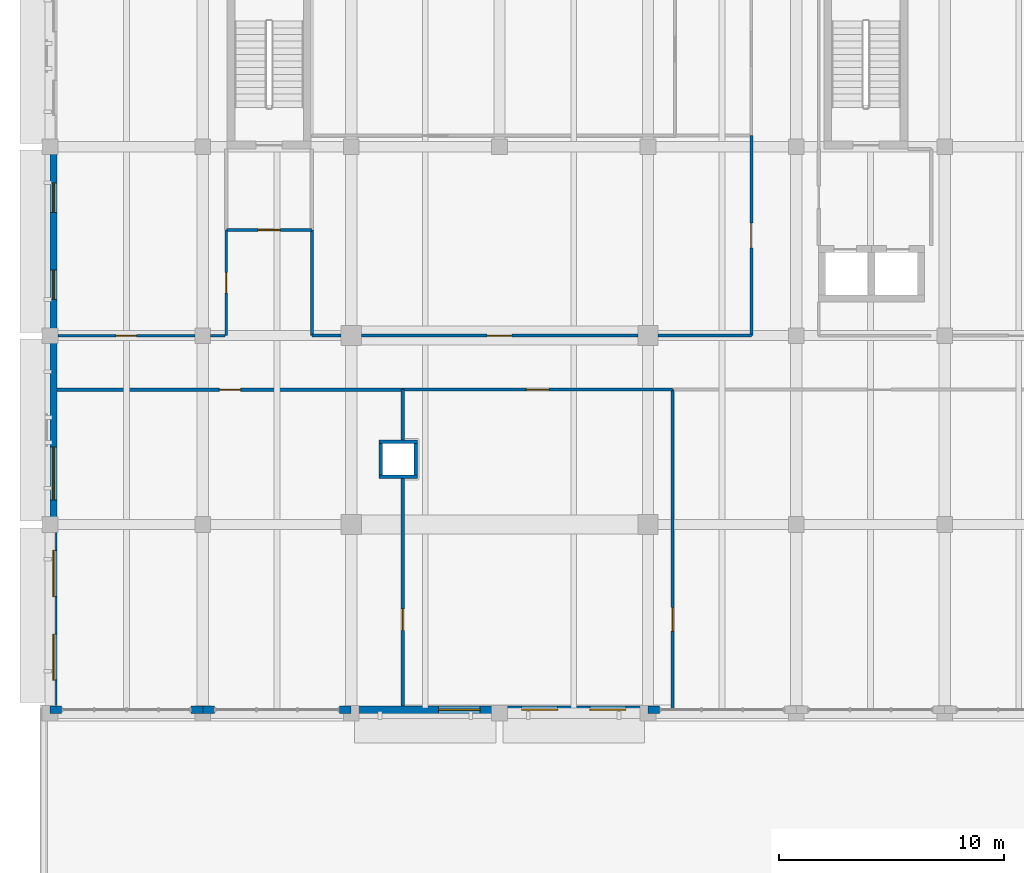
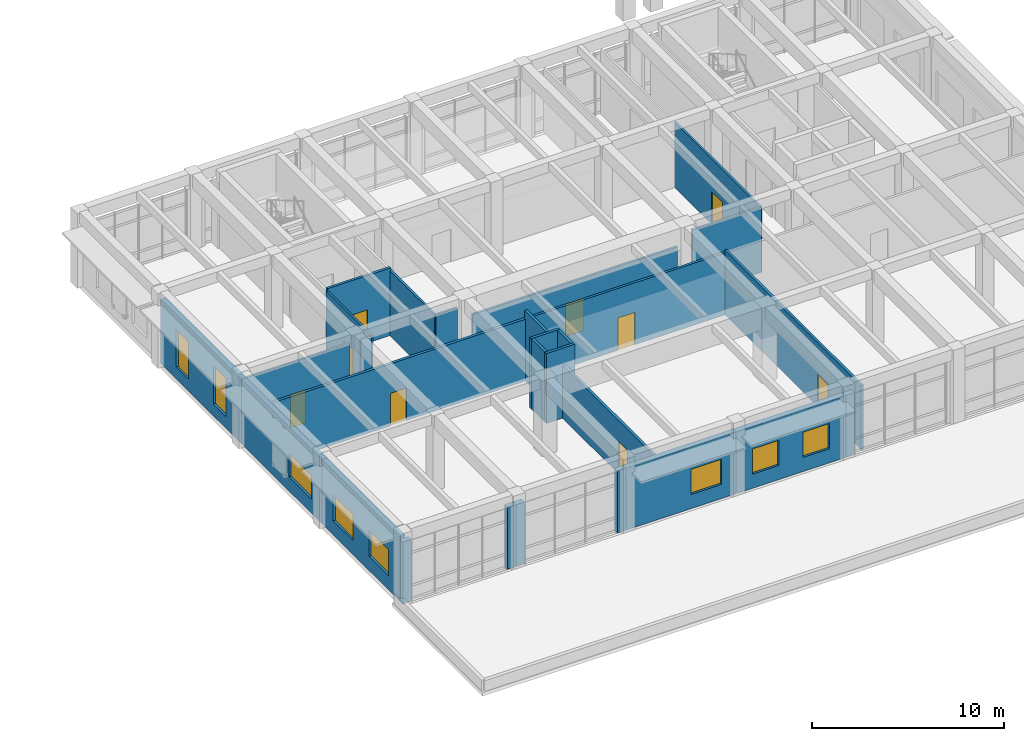
# One storey, part 42 of 75: 28 walls, 9 doors, 8 windows, 17 openings.
"""IFC4 building model written with IfcOpenShell, lengths in metres."""

from ifc_helpers import new_model, si_unit, direction, frame, frame_2d, origin, place, context, subcontext, project, spatial, rectangle, extrude, material, layer, layer_set, type_object, element, fill, save


model = new_model("IFC4")

# Units and contexts
model_context = context("Model", 3, precision=1e-05, world=origin(), true_north=direction((0.0, 1.0)))
body_context = subcontext(model_context, "Body", "Model", "MODEL_VIEW")
ifc_project = project(units=[si_unit("LENGTHUNIT", "METRE"), si_unit("AREAUNIT", "SQUARE_METRE"), si_unit("VOLUMEUNIT", "CUBIC_METRE"), si_unit("PLANEANGLEUNIT", "RADIAN"), si_unit("MASSUNIT", "GRAM", prefix="KILO")], contexts=[model_context])

# Site, building, storey
site_placement = place(None, origin())
site = spatial("IfcSite", under=ifc_project, at=site_placement, CompositionType="ELEMENT")
building_placement = place(site_placement, origin())
building = spatial("IfcBuilding", under=site, at=building_placement, Name="Kolvaren Faculty of Natural Sciences", CompositionType="ELEMENT")
storey_placement = place(building_placement, frame((0.0, 0.0, 5.39990234375)))
storey = spatial("IfcBuildingStorey", under=building, at=storey_placement, Name="L01", CompositionType="ELEMENT", Elevation=5.39990234375)

# Wall, opening, door
ifc_material_1 = material(Name="Acoustic mineral-wool insulated gypsum partition")
ifc_layer_1 = layer(ifc_material_1, 0.159912109375)
ifc_layer_set_1 = layer_set([ifc_layer_1], Name="Acoustic mineral-wool insulated gypsum partition")
wall_type_1 = type_object("IfcWallType", Name="ClassroomPartitionWall_160", PredefinedType="PARTITIONING", material=ifc_layer_set_1)
wall_1_placement = place(storey_placement, frame((15.699951171875, 19.0400390625, 0.0), z_axis=(0.0, 0.0, 1.0), x_axis=(0.0, -1.0, 0.0)))
wall_1 = element("IfcWall", 1, at=wall_1_placement, inside=storey, type_object=wall_type_1, Name="L01 interior partition PW-160", PredefinedType="PARTITIONING", context=body_context, shape_type="SweptSolid", body=[
    extrude(rectangle(XDim=10.117919921875, YDim=0.159912109375, at=frame_2d((5.05908203125, 0.0))), origin(), (0.0, 0.0, 1.0), 3.385009765625),
])
opening_1_placement = place(wall_1_placement, frame((5.798095703125, 0.0, 0.0)))
opening_1 = element("IfcOpeningElement", 2, at=opening_1_placement, cuts=wall_1, Name="Opening ID-07", PredefinedType="OPENING", context=body_context, shape_type="SweptSolid", body=[
    extrude(rectangle(XDim=0.949951171875, YDim=2.06005859375, at=frame_2d((0.47509765625, 1.030029296875))), frame((0.0, 0.08984375, 0.0), z_axis=(0.0, -1.0, 0.0), x_axis=(1.0, 0.0, 0.0)), (0.0, 0.0, 1.0), 0.179931640625),
])
ifc_material_2 = material(Name="Solid-core hardwood veneer door leaf in steel frame", Category="steel")
door_type_1 = type_object("IfcDoorType", Name="InteriorRoomDoor_950x2060", OperationType="NOTDEFINED", PredefinedType="DOOR", material=ifc_material_2)
door_1_placement = place(opening_1_placement, origin())
door_1 = element("IfcDoor", 3, at=door_1_placement, inside=storey, type_object=door_type_1, Name="D-L01-0134", OperationType="SINGLE_SWING_RIGHT", OverallHeight=2.06005859375, OverallWidth=0.949951171875, PredefinedType="DOOR", context=body_context, shape_type="SweptSolid", body=[
    extrude(rectangle(XDim=0.949951171875, YDim=2.06005859375, at=frame_2d((0.47509765625, 1.030029296875))), frame((0.0, 0.02490234375, 0.0), z_axis=(0.0, -1.0, 0.0), x_axis=(1.0, 0.0, 0.0)), (0.0, 0.0, 1.0), 0.050048828125),
])
fill(opening_1, door_1)

wall_2_placement = place(storey_placement, frame((0.322021484375, 23.0, 0.0), z_axis=(0.0, 0.0, 1.0), x_axis=(1.0, 0.0, 0.0)))
wall_2 = element("IfcWall", 4, at=wall_2_placement, inside=storey, type_object=wall_type_1, Name="L01 interior partition PW-160", PredefinedType="PARTITIONING", context=body_context, shape_type="SweptSolid", body=[
    extrude(rectangle(XDim=15.3779296875, YDim=0.159912109375, at=frame_2d((7.68896484375, 0.0))), origin(), (0.0, 0.0, 1.0), 3.93505859375),
])
opening_2_placement = place(wall_2_placement, frame((7.214111328125, 0.0, 0.0)))
opening_2 = element("IfcOpeningElement", 5, at=opening_2_placement, cuts=wall_2, Name="Opening ID-07", PredefinedType="OPENING", context=body_context, shape_type="SweptSolid", body=[
    extrude(rectangle(XDim=0.949951171875, YDim=2.06005859375, at=frame_2d((0.47509765625, 1.030029296875))), frame((0.0, 0.08984375, 0.0), z_axis=(0.0, -1.0, 0.0), x_axis=(1.0, 0.0, 0.0)), (0.0, 0.0, 1.0), 0.179931640625),
])
door_2_placement = place(opening_2_placement, origin())
door_2 = element("IfcDoor", 6, at=door_2_placement, inside=storey, type_object=door_type_1, Name="D-L01-0133", OperationType="SINGLE_SWING_LEFT", OverallHeight=2.06005859375, OverallWidth=0.949951171875, PredefinedType="DOOR", context=body_context, shape_type="SweptSolid", body=[
    extrude(rectangle(XDim=0.949951171875, YDim=2.06005859375, at=frame_2d((0.47509765625, 1.030029296875))), frame((0.0, 0.02490234375, 0.0), z_axis=(0.0, -1.0, 0.0), x_axis=(1.0, 0.0, 0.0)), (0.0, 0.0, 1.0), 0.050048828125),
])
fill(opening_2, door_2)

# Wall
wall_3_placement = place(storey_placement, frame((15.699951171875, 23.0, 0.0), z_axis=(0.0, 0.0, 1.0), x_axis=(0.0, -1.0, 0.0)))
element("IfcWall", 7, at=wall_3_placement, inside=storey, type_object=wall_type_1, Name="L01 interior partition PW-160", PredefinedType="PARTITIONING", context=body_context, shape_type="SweptSolid", body=[
    extrude(rectangle(XDim=2.239990234375, YDim=0.159912109375, at=frame_2d((1.1201171875, 0.0))), origin(), (0.0, 0.0, 1.0), 4.445068359375),
])

# Wall, opening, door
ifc_layer_2 = layer(ifc_material_1, 0.14501953125)
ifc_layer_set_2 = layer_set([ifc_layer_2], Name="Acoustic mineral-wool insulated gypsum partition")
wall_type_2 = type_object("IfcWallType", Name="CommonsPartitionWall_145", PredefinedType="PARTITIONING", material=ifc_layer_set_2)
wall_4_placement = place(storey_placement, frame((27.699951171875, 23.0, 0.0), z_axis=(0.0, 0.0, 1.0), x_axis=(0.0, -1.0, 0.0)))
wall_4 = element("IfcWall", 8, at=wall_4_placement, inside=storey, type_object=wall_type_2, Name="L01 interior partition PW-145", PredefinedType="PARTITIONING", context=body_context, shape_type="SweptSolid", body=[
    extrude(rectangle(XDim=14.199951171875, YDim=0.14501953125, at=frame_2d((7.10009765625, 0.0))), origin(), (0.0, 0.0, 1.0), 4.085205078125),
])
opening_3_placement = place(wall_4_placement, frame((9.698974609375, 0.0, 0.0)))
opening_3 = element("IfcOpeningElement", 9, at=opening_3_placement, cuts=wall_4, Name="Opening ID-09", PredefinedType="OPENING", context=body_context, shape_type="SweptSolid", body=[
    extrude(rectangle(XDim=1.050048828125, YDim=2.06005859375, at=frame_2d((0.52490234375, 1.030029296875))), frame((0.0, 0.08251953125, 0.0), z_axis=(0.0, -1.0, 0.0), x_axis=(1.0, 0.0, 0.0)), (0.0, 0.0, 1.0), 0.1650390625),
])
door_type_2 = type_object("IfcDoorType", Name="InteriorRoomDoor_1050x2060", OperationType="NOTDEFINED", PredefinedType="DOOR", material=ifc_material_2)
door_3_placement = place(opening_3_placement, origin())
door_3 = element("IfcDoor", 10, at=door_3_placement, inside=storey, type_object=door_type_2, Name="D-L01-0137", OperationType="SINGLE_SWING_LEFT", OverallHeight=2.06005859375, OverallWidth=1.050048828125, PredefinedType="DOOR", context=body_context, shape_type="SweptSolid", body=[
    extrude(rectangle(XDim=1.050048828125, YDim=2.06005859375, at=frame_2d((0.52490234375, 1.030029296875))), frame((0.0, 0.02490234375, 0.0), z_axis=(0.0, -1.0, 0.0), x_axis=(1.0, 0.0, 0.0)), (0.0, 0.0, 1.0), 0.050048828125),
])
fill(opening_3, door_3)

wall_5_placement = place(storey_placement, frame((15.699951171875, 23.0, 0.0), z_axis=(0.0, 0.0, 1.0), x_axis=(1.0, 0.0, 0.0)))
wall_5 = element("IfcWall", 11, at=wall_5_placement, inside=storey, type_object=wall_type_2, Name="L01 interior partition PW-145", PredefinedType="PARTITIONING", context=body_context, shape_type="SweptSolid", body=[
    extrude(rectangle(XDim=12.0, YDim=0.14501953125, at=frame_2d((6.0, 0.0))), origin(), (0.0, 0.0, 1.0), 3.93505859375),
])
opening_4_placement = place(wall_5_placement, frame((5.5, 0.0, 0.0)))
opening_4 = element("IfcOpeningElement", 12, at=opening_4_placement, cuts=wall_5, Name="Opening ID-08", PredefinedType="OPENING", context=body_context, shape_type="SweptSolid", body=[
    extrude(rectangle(XDim=1.0, YDim=2.06005859375, at=frame_2d((0.5, 1.030029296875))), frame((0.0, 0.08251953125, 0.0), z_axis=(0.0, -1.0, 0.0), x_axis=(1.0, 0.0, 0.0)), (0.0, 0.0, 1.0), 0.1650390625),
])
door_type_3 = type_object("IfcDoorType", Name="InteriorRoomDoor_1000x2060", OperationType="NOTDEFINED", PredefinedType="DOOR", material=ifc_material_2)
door_4_placement = place(opening_4_placement, origin())
door_4 = element("IfcDoor", 13, at=door_4_placement, inside=storey, type_object=door_type_3, Name="D-L01-0135", OperationType="SINGLE_SWING_LEFT", OverallHeight=2.06005859375, OverallWidth=1.0, PredefinedType="DOOR", context=body_context, shape_type="SweptSolid", body=[
    extrude(rectangle(XDim=1.0, YDim=2.06005859375, at=frame_2d((0.5, 1.030029296875))), frame((0.0, 0.02490234375, 0.0), z_axis=(0.0, -1.0, 0.0), x_axis=(1.0, 0.0, 0.0)), (0.0, 0.0, 1.0), 0.050048828125),
])
fill(opening_4, door_4)

# Wall
ifc_material_3 = material(Name="Sandstone-faced insulated cavity masonry", Category="masonry")
ifc_layer_3 = layer(ifc_material_3, 0.320068359375)
ifc_layer_set_3 = layer_set([ifc_layer_3], Name="Sandstone-faced insulated cavity masonry")
wall_type_3 = type_object("IfcWallType", Name="ExteriorCavityWall_320", PredefinedType="STANDARD", material=ifc_layer_set_3)
wall_6_placement = place(storey_placement, frame((27.1201171875, 8.760009765625, 0.0), z_axis=(0.0, 0.0, 1.0), x_axis=(-1.0, 0.0, 0.0)))
element("IfcWall", 14, at=wall_6_placement, inside=storey, type_object=wall_type_3, Name="L01 curtain-wall pier stub 158", PredefinedType="STANDARD", context=body_context, shape_type="SweptSolid", body=[
    extrude(rectangle(XDim=0.52001953125, YDim=0.320068359375, at=frame_2d((0.260009765625, 0.0))), origin(), (0.0, 0.0, 1.0), 3.93505859375),
])

# Wall, openings, windows
wall_7_placement = place(storey_placement, frame((26.60009765625, 8.760009765625, 0.0), z_axis=(0.0, 0.0, 1.0), x_axis=(-1.0, 0.0, 0.0)))
wall_7 = element("IfcWall", 15, at=wall_7_placement, inside=storey, type_object=wall_type_3, Name="L01 exterior masonry wall EW-320 (159)", PredefinedType="STANDARD", context=body_context, shape_type="SweptSolid", body=[
    extrude(rectangle(XDim=6.60009765625, YDim=0.320068359375, at=frame_2d((3.300048828125, 0.0))), origin(), (0.0, 0.0, 1.0), 3.93505859375),
])
opening_5_placement = place(wall_7_placement, frame((0.98193359375, 0.0, 0.89990234375)))
opening_5 = element("IfcOpeningElement", 16, at=opening_5_placement, cuts=wall_7, Name="Opening WIN-15", PredefinedType="OPENING", context=body_context, shape_type="SweptSolid", body=[
    extrude(rectangle(XDim=1.60009765625, YDim=1.60009765625, at=frame_2d((0.800048828125, 0.800048828125))), frame((0.0, 0.169921875, 0.0), z_axis=(0.0, -1.0, 0.0), x_axis=(1.0, 0.0, 0.0)), (0.0, 0.0, 1.0), 0.340087890625),
])
opening_6_placement = place(wall_7_placement, frame((4.01806640625, 0.0, 0.89990234375)))
opening_6 = element("IfcOpeningElement", 17, at=opening_6_placement, cuts=wall_7, Name="Opening WIN-15", PredefinedType="OPENING", context=body_context, shape_type="SweptSolid", body=[
    extrude(rectangle(XDim=1.60009765625, YDim=1.60009765625, at=frame_2d((0.800048828125, 0.800048828125))), frame((0.0, 0.169921875, 0.0), z_axis=(0.0, -1.0, 0.0), x_axis=(1.0, 0.0, 0.0)), (0.0, 0.0, 1.0), 0.340087890625),
])
ifc_material_4 = material(Name="Double low-E solar control insulated glazing", Category="glass")
window_type_1 = type_object("IfcWindowType", Name="AluWindow_WIN15_1600x1600", PartitioningType="SINGLE_PANEL", PredefinedType="WINDOW", material=ifc_material_4)
window_1_placement = place(opening_5_placement, origin())
window_1 = element("IfcWindow", 18, at=window_1_placement, inside=storey, type_object=window_type_1, Name="WIN-L01-0157", OverallHeight=1.60009765625, OverallWidth=1.60009765625, PartitioningType="SINGLE_PANEL", PredefinedType="WINDOW", context=body_context, shape_type="SweptSolid", body=[
    extrude(rectangle(XDim=1.60009765625, YDim=1.60009765625, at=frame_2d((0.800048828125, 0.800048828125))), frame((0.0, 0.030029296875, 0.0), z_axis=(0.0, -1.0, 0.0), x_axis=(1.0, 0.0, 0.0)), (0.0, 0.0, 1.0), 0.06005859375),
])
fill(opening_5, window_1)
window_2_placement = place(opening_6_placement, origin())
window_2 = element("IfcWindow", 19, at=window_2_placement, inside=storey, type_object=window_type_1, Name="WIN-L01-0158", OverallHeight=1.60009765625, OverallWidth=1.60009765625, PartitioningType="SINGLE_PANEL", PredefinedType="WINDOW", context=body_context, shape_type="SweptSolid", body=[
    extrude(rectangle(XDim=1.60009765625, YDim=1.60009765625, at=frame_2d((0.800048828125, 0.800048828125))), frame((0.0, 0.030029296875, 0.0), z_axis=(0.0, -1.0, 0.0), x_axis=(1.0, 0.0, 0.0)), (0.0, 0.0, 1.0), 0.06005859375),
])
fill(opening_6, window_2)

# Wall, opening, window
wall_8_placement = place(storey_placement, frame((20.0, 8.760009765625, 0.0), z_axis=(0.0, 0.0, 1.0), x_axis=(-1.0, 0.0, 0.0)))
wall_8 = element("IfcWall", 20, at=wall_8_placement, inside=storey, type_object=wall_type_3, Name="L01 exterior masonry wall EW-320 (160)", PredefinedType="STANDARD", context=body_context, shape_type="SweptSolid", body=[
    extrude(rectangle(XDim=6.60009765625, YDim=0.320068359375, at=frame_2d((3.300048828125, 0.0))), origin(), (0.0, 0.0, 1.0), 3.93505859375),
])
opening_7_placement = place(wall_8_placement, frame((0.85693359375, 0.0, 0.89990234375)))
opening_7 = element("IfcOpeningElement", 21, at=opening_7_placement, cuts=wall_8, Name="Opening WIN-16", PredefinedType="OPENING", context=body_context, shape_type="SweptSolid", body=[
    extrude(rectangle(XDim=1.85009765625, YDim=1.60009765625, at=frame_2d((0.925048828125, 0.800048828125))), frame((0.0, 0.169921875, 0.0), z_axis=(0.0, -1.0, 0.0), x_axis=(1.0, 0.0, 0.0)), (0.0, 0.0, 1.0), 0.340087890625),
])
window_type_2 = type_object("IfcWindowType", Name="AluWindow_WIN16_1850x1600", PartitioningType="SINGLE_PANEL", PredefinedType="WINDOW", material=ifc_material_4)
window_3_placement = place(opening_7_placement, origin())
window_3 = element("IfcWindow", 22, at=window_3_placement, inside=storey, type_object=window_type_2, Name="WIN-L01-0159", OverallHeight=1.60009765625, OverallWidth=1.85009765625, PartitioningType="SINGLE_PANEL", PredefinedType="WINDOW", context=body_context, shape_type="SweptSolid", body=[
    extrude(rectangle(XDim=1.85009765625, YDim=1.60009765625, at=frame_2d((0.925048828125, 0.800048828125))), frame((0.0, 0.030029296875, 0.0), z_axis=(0.0, -1.0, 0.0), x_axis=(1.0, 0.0, 0.0)), (0.0, 0.0, 1.0), 0.06005859375),
])
fill(opening_7, window_3)

# Walls
for number, where, z_axis, x_axis, name in (
    (23, (13.39990234375, 8.760009765625, 0.0), (0.0, 0.0, 1.0), (-1.0, 0.0, 0.0), "L01 curtain-wall pier stub 161"),
    (24, (7.320068359375, 8.760009765625, 0.0), (0.0, 0.0, 1.0), (-1.0, 0.0, 0.0), "L01 curtain-wall pier stub 162"),
    (25, (6.800048828125, 8.760009765625, 0.0), (0.0, 0.0, 1.0), (-1.0, 0.0, 0.0), "L01 curtain-wall pier stub 163"),
    (26, (0.52001953125, 8.760009765625, 0.0), (0.0, 0.0, 1.0), (-1.0, 0.0, 0.0), "L01 curtain-wall pier stub 164"),
):
    element("IfcWall", number, at=place(storey_placement, frame(where, z_axis=z_axis, x_axis=x_axis)), inside=storey, type_object=wall_type_3, Name=name, PredefinedType="STANDARD", context=body_context, shape_type="SweptSolid", body=[
        extrude(rectangle(XDim=0.52001953125, YDim=0.320068359375, at=frame_2d((0.260009765625, 0.0))), origin(), (0.0, 0.0, 1.0), 3.93505859375),
    ])

# Wall, openings, windows
wall_9_placement = place(storey_placement, frame((0.159912109375, 8.919921875, 0.0), z_axis=(0.0, 0.0, 1.0), x_axis=(0.0, 1.0, 0.0)))
wall_9 = element("IfcWall", 27, at=wall_9_placement, inside=storey, type_object=wall_type_3, Name="L01 exterior masonry wall EW-320 (165)", PredefinedType="STANDARD", context=body_context, shape_type="SweptSolid", body=[
    extrude(rectangle(XDim=8.080078125, YDim=0.320068359375, at=frame_2d((4.0400390625, 0.0))), origin(), (0.0, 0.0, 1.0), 4.085205078125),
])
opening_8_placement = place(wall_9_placement, frame((1.156494140625, 0.0, 0.89990234375)))
opening_8 = element("IfcOpeningElement", 28, at=opening_8_placement, cuts=wall_9, Name="Opening WIN-17", PredefinedType="OPENING", context=body_context, shape_type="SweptSolid", body=[
    extrude(rectangle(XDim=2.050048828125, YDim=1.64990234375, at=frame_2d((1.02490234375, 0.824951171875))), frame((0.0, 0.169921875, 0.0), z_axis=(0.0, -1.0, 0.0), x_axis=(1.0, 0.0, 0.0)), (0.0, 0.0, 1.0), 0.340087890625),
])
opening_9_placement = place(wall_9_placement, frame((4.873291015625, 0.0, 0.89990234375)))
opening_9 = element("IfcOpeningElement", 29, at=opening_9_placement, cuts=wall_9, Name="Opening WIN-17", PredefinedType="OPENING", context=body_context, shape_type="SweptSolid", body=[
    extrude(rectangle(XDim=2.050048828125, YDim=1.64990234375, at=frame_2d((1.02490234375, 0.824951171875))), frame((0.0, 0.169921875, 0.0), z_axis=(0.0, -1.0, 0.0), x_axis=(1.0, 0.0, 0.0)), (0.0, 0.0, 1.0), 0.340087890625),
])
window_type_3 = type_object("IfcWindowType", Name="AluWindow_WIN17_2050x1650", PartitioningType="SINGLE_PANEL", PredefinedType="WINDOW", material=ifc_material_4)
window_4_placement = place(opening_8_placement, origin())
window_4 = element("IfcWindow", 30, at=window_4_placement, inside=storey, type_object=window_type_3, Name="WIN-L01-0160", OverallHeight=1.64990234375, OverallWidth=2.050048828125, PartitioningType="SINGLE_PANEL", PredefinedType="WINDOW", context=body_context, shape_type="SweptSolid", body=[
    extrude(rectangle(XDim=2.050048828125, YDim=1.64990234375, at=frame_2d((1.02490234375, 0.824951171875))), frame((0.0, 0.030029296875, 0.0), z_axis=(0.0, -1.0, 0.0), x_axis=(1.0, 0.0, 0.0)), (0.0, 0.0, 1.0), 0.06005859375),
])
fill(opening_8, window_4)
window_5_placement = place(opening_9_placement, origin())
window_5 = element("IfcWindow", 31, at=window_5_placement, inside=storey, type_object=window_type_3, Name="WIN-L01-0161", OverallHeight=1.64990234375, OverallWidth=2.050048828125, PartitioningType="SINGLE_PANEL", PredefinedType="WINDOW", context=body_context, shape_type="SweptSolid", body=[
    extrude(rectangle(XDim=2.050048828125, YDim=1.64990234375, at=frame_2d((1.02490234375, 0.824951171875))), frame((0.0, 0.030029296875, 0.0), z_axis=(0.0, -1.0, 0.0), x_axis=(1.0, 0.0, 0.0)), (0.0, 0.0, 1.0), 0.06005859375),
])
fill(opening_9, window_5)

# Wall, opening, window
wall_10_placement = place(storey_placement, frame((0.159912109375, 17.0, 0.0), z_axis=(0.0, 0.0, 1.0), x_axis=(0.0, 1.0, 0.0)))
wall_10 = element("IfcWall", 32, at=wall_10_placement, inside=storey, type_object=wall_type_3, Name="L01 exterior masonry wall EW-320 (166)", PredefinedType="STANDARD", context=body_context, shape_type="SweptSolid", body=[
    extrude(rectangle(XDim=8.39990234375, YDim=0.320068359375, at=frame_2d((4.199951171875, 0.0))), origin(), (0.0, 0.0, 1.0), 4.085205078125),
])
opening_10_placement = place(wall_10_placement, frame((1.093017578125, 0.0, 0.89990234375)))
opening_10 = element("IfcOpeningElement", 33, at=opening_10_placement, cuts=wall_10, Name="Opening WIN-18", PredefinedType="OPENING", context=body_context, shape_type="SweptSolid", body=[
    extrude(rectangle(XDim=2.35009765625, YDim=1.5, at=frame_2d((1.175048828125, 0.75))), frame((0.0, 0.169921875, 0.0), z_axis=(0.0, -1.0, 0.0), x_axis=(1.0, 0.0, 0.0)), (0.0, 0.0, 1.0), 0.340087890625),
])
window_type_4 = type_object("IfcWindowType", Name="AluWindow_WIN18_2350x1500", PartitioningType="SINGLE_PANEL", PredefinedType="WINDOW", material=ifc_material_4)
window_6_placement = place(opening_10_placement, origin())
window_6 = element("IfcWindow", 34, at=window_6_placement, inside=storey, type_object=window_type_4, Name="WIN-L01-0162", OverallHeight=1.5, OverallWidth=2.35009765625, PartitioningType="SINGLE_PANEL", PredefinedType="WINDOW", context=body_context, shape_type="SweptSolid", body=[
    extrude(rectangle(XDim=2.35009765625, YDim=1.5, at=frame_2d((1.175048828125, 0.75))), frame((0.0, 0.030029296875, 0.0), z_axis=(0.0, -1.0, 0.0), x_axis=(1.0, 0.0, 0.0)), (0.0, 0.0, 1.0), 0.06005859375),
])
fill(opening_10, window_6)

# Wall, openings, windows
wall_11_placement = place(storey_placement, frame((0.159912109375, 25.39990234375, 0.0), z_axis=(0.0, 0.0, 1.0), x_axis=(0.0, 1.0, 0.0)))
wall_11 = element("IfcWall", 35, at=wall_11_placement, inside=storey, type_object=wall_type_3, Name="L01 exterior masonry wall EW-320 (167)", PredefinedType="STANDARD", context=body_context, shape_type="SweptSolid", body=[
    extrude(rectangle(XDim=8.400146484375, YDim=0.320068359375, at=frame_2d((4.2001953125, 0.0))), origin(), (0.0, 0.0, 1.0), 4.085205078125),
])
opening_11_placement = place(wall_11_placement, frame((1.617919921875, 0.0, 0.75)))
opening_11 = element("IfcOpeningElement", 36, at=opening_11_placement, cuts=wall_11, Name="Opening WIN-19", PredefinedType="OPENING", context=body_context, shape_type="SweptSolid", body=[
    extrude(rectangle(XDim=1.300048828125, YDim=2.39990234375, at=frame_2d((0.64990234375, 1.199951171875))), frame((0.0, 0.169921875, 0.0), z_axis=(0.0, -1.0, 0.0), x_axis=(1.0, 0.0, 0.0)), (0.0, 0.0, 1.0), 0.340087890625),
])
opening_12_placement = place(wall_11_placement, frame((5.48193359375, 0.0, 0.75)))
opening_12 = element("IfcOpeningElement", 37, at=opening_12_placement, cuts=wall_11, Name="Opening WIN-19", PredefinedType="OPENING", context=body_context, shape_type="SweptSolid", body=[
    extrude(rectangle(XDim=1.300048828125, YDim=2.39990234375, at=frame_2d((0.64990234375, 1.199951171875))), frame((0.0, 0.169921875, 0.0), z_axis=(0.0, -1.0, 0.0), x_axis=(1.0, 0.0, 0.0)), (0.0, 0.0, 1.0), 0.340087890625),
])
window_type_5 = type_object("IfcWindowType", Name="AluWindow_WIN19_1300x2400", PartitioningType="SINGLE_PANEL", PredefinedType="WINDOW", material=ifc_material_4)
window_7_placement = place(opening_11_placement, origin())
window_7 = element("IfcWindow", 38, at=window_7_placement, inside=storey, type_object=window_type_5, Name="WIN-L01-0163", OverallHeight=2.39990234375, OverallWidth=1.300048828125, PartitioningType="SINGLE_PANEL", PredefinedType="WINDOW", context=body_context, shape_type="SweptSolid", body=[
    extrude(rectangle(XDim=1.300048828125, YDim=2.39990234375, at=frame_2d((0.64990234375, 1.199951171875))), frame((0.0, 0.030029296875, 0.0), z_axis=(0.0, -1.0, 0.0), x_axis=(1.0, 0.0, 0.0)), (0.0, 0.0, 1.0), 0.06005859375),
])
fill(opening_11, window_7)
window_8_placement = place(opening_12_placement, origin())
window_8 = element("IfcWindow", 39, at=window_8_placement, inside=storey, type_object=window_type_5, Name="WIN-L01-0164", OverallHeight=2.39990234375, OverallWidth=1.300048828125, PartitioningType="SINGLE_PANEL", PredefinedType="WINDOW", context=body_context, shape_type="SweptSolid", body=[
    extrude(rectangle(XDim=1.300048828125, YDim=2.39990234375, at=frame_2d((0.64990234375, 1.199951171875))), frame((0.0, 0.030029296875, 0.0), z_axis=(0.0, -1.0, 0.0), x_axis=(1.0, 0.0, 0.0)), (0.0, 0.0, 1.0), 0.06005859375),
])
fill(opening_12, window_8)

# Wall, opening, door
ifc_layer_4 = layer(ifc_material_1, 0.1298828125)
ifc_layer_set_4 = layer_set([ifc_layer_4], Name="Acoustic mineral-wool insulated gypsum partition")
wall_type_4 = type_object("IfcWallType", Name="OfficePartitionWall_130", PredefinedType="PARTITIONING", material=ifc_layer_set_4)
wall_12_placement = place(storey_placement, frame((31.199951171875, 34.300048828125, 0.0), z_axis=(0.0, 0.0, 1.0), x_axis=(0.0, -1.0, 0.0)))
wall_12 = element("IfcWall", 40, at=wall_12_placement, inside=storey, type_object=wall_type_4, Name="L01 interior partition PW-130", PredefinedType="PARTITIONING", context=body_context, shape_type="SweptSolid", body=[
    extrude(rectangle(XDim=8.900146484375, YDim=0.1298828125, at=frame_2d((4.4501953125, 0.0))), origin(), (0.0, 0.0, 1.0), 4.135009765625),
])
opening_13_placement = place(wall_12_placement, frame((3.89990234375, 0.0, 0.0)))
opening_13 = element("IfcOpeningElement", 41, at=opening_13_placement, cuts=wall_12, Name="Opening ID-10", PredefinedType="OPENING", context=body_context, shape_type="SweptSolid", body=[
    extrude(rectangle(XDim=1.10009765625, YDim=2.06005859375, at=frame_2d((0.550048828125, 1.030029296875))), frame((0.0, 0.074951171875, 0.0), z_axis=(0.0, -1.0, 0.0), x_axis=(1.0, 0.0, 0.0)), (0.0, 0.0, 1.0), 0.14990234375),
])
door_type_4 = type_object("IfcDoorType", Name="InteriorRoomDoor_1100x2060", OperationType="NOTDEFINED", PredefinedType="DOOR", material=ifc_material_2)
door_5_placement = place(opening_13_placement, origin())
door_5 = element("IfcDoor", 42, at=door_5_placement, inside=storey, type_object=door_type_4, Name="D-L01-0139", OperationType="SINGLE_SWING_LEFT", OverallHeight=2.06005859375, OverallWidth=1.10009765625, PredefinedType="DOOR", context=body_context, shape_type="SweptSolid", body=[
    extrude(rectangle(XDim=1.10009765625, YDim=2.06005859375, at=frame_2d((0.550048828125, 1.030029296875))), frame((0.0, 0.02490234375, 0.0), z_axis=(0.0, -1.0, 0.0), x_axis=(1.0, 0.0, 0.0)), (0.0, 0.0, 1.0), 0.050048828125),
])
fill(opening_13, door_5)

# Wall
wall_13_placement = place(storey_placement, frame((31.199951171875, 25.39990234375, 0.0), z_axis=(0.0, 0.0, 1.0), x_axis=(-1.0, 0.0, 0.0)))
element("IfcWall", 43, at=wall_13_placement, inside=storey, type_object=wall_type_4, Name="L01 interior partition PW-130", PredefinedType="PARTITIONING", context=body_context, shape_type="SweptSolid", body=[
    extrude(rectangle(XDim=4.14990234375, YDim=0.1298828125, at=frame_2d((2.074951171875, 0.0))), origin(), (0.0, 0.0, 1.0), 4.135009765625),
])

# Wall, opening, door
wall_14_placement = place(storey_placement, frame((26.14990234375, 25.39990234375, 0.0), z_axis=(0.0, 0.0, 1.0), x_axis=(-1.0, 0.0, 0.0)))
wall_14 = element("IfcWall", 44, at=wall_14_placement, inside=storey, type_object=wall_type_4, Name="L01 interior partition PW-130", PredefinedType="PARTITIONING", context=body_context, shape_type="SweptSolid", body=[
    extrude(rectangle(XDim=12.2998046875, YDim=0.1298828125, at=frame_2d((6.14990234375, 0.0))), origin(), (0.0, 0.0, 1.0), 3.385009765625),
])
opening_14_placement = place(wall_14_placement, frame((5.60009765625, 0.0, 0.0)))
opening_14 = element("IfcOpeningElement", 45, at=opening_14_placement, cuts=wall_14, Name="Opening ID-10", PredefinedType="OPENING", context=body_context, shape_type="SweptSolid", body=[
    extrude(rectangle(XDim=1.10009765625, YDim=2.06005859375, at=frame_2d((0.550048828125, 1.030029296875))), frame((0.0, 0.074951171875, 0.0), z_axis=(0.0, -1.0, 0.0), x_axis=(1.0, 0.0, 0.0)), (0.0, 0.0, 1.0), 0.14990234375),
])
door_6_placement = place(opening_14_placement, origin())
door_6 = element("IfcDoor", 46, at=door_6_placement, inside=storey, type_object=door_type_4, Name="D-L01-0138", OperationType="SINGLE_SWING_RIGHT", OverallHeight=2.06005859375, OverallWidth=1.10009765625, PredefinedType="DOOR", context=body_context, shape_type="SweptSolid", body=[
    extrude(rectangle(XDim=1.10009765625, YDim=2.06005859375, at=frame_2d((0.550048828125, 1.030029296875))), frame((0.0, 0.02490234375, 0.0), z_axis=(0.0, -1.0, 0.0), x_axis=(1.0, 0.0, 0.0)), (0.0, 0.0, 1.0), 0.050048828125),
])
fill(opening_14, door_6)

# Walls
wall_15_placement = place(storey_placement, frame((12.949951171875, 25.39990234375, 0.0), z_axis=(0.0, 0.0, 1.0), x_axis=(-1.0, 0.0, 0.0)))
element("IfcWall", 47, at=wall_15_placement, inside=storey, type_object=wall_type_4, Name="L01 interior partition PW-130", PredefinedType="PARTITIONING", context=body_context, shape_type="SweptSolid", body=[
    extrude(rectangle(XDim=1.300048828125, YDim=0.1298828125, at=frame_2d((0.64990234375, 0.0))), origin(), (0.0, 0.0, 1.0), 4.135009765625),
])
wall_16_placement = place(storey_placement, frame((11.64990234375, 25.39990234375, 0.0), z_axis=(0.0, 0.0, 1.0), x_axis=(0.0, 1.0, 0.0)))
element("IfcWall", 48, at=wall_16_placement, inside=storey, type_object=wall_type_4, Name="L01 interior partition PW-130", PredefinedType="PARTITIONING", context=body_context, shape_type="SweptSolid", body=[
    extrude(rectangle(XDim=4.7001953125, YDim=0.1298828125, at=frame_2d((2.35009765625, 0.0))), origin(), (0.0, 0.0, 1.0), 4.135009765625),
])

# Wall, opening, door
ifc_material_5 = material(Name="Double fire-rated gypsum board on 100 mm steel stud", Category="steel")
ifc_layer_5 = layer(ifc_material_5, 0.14990234375)
ifc_layer_set_5 = layer_set([ifc_layer_5], Name="Double fire-rated gypsum board on 100 mm steel stud")
wall_type_5 = type_object("IfcWallType", Name="RatedCorridorWall_150", PredefinedType="PARTITIONING", material=ifc_layer_set_5)
wall_17_placement = place(storey_placement, frame((11.64990234375, 30.10009765625, 0.0), z_axis=(0.0, 0.0, 1.0), x_axis=(-1.0, 0.0, 0.0)))
wall_17 = element("IfcWall", 49, at=wall_17_placement, inside=storey, type_object=wall_type_5, Name="L01 interior partition LW-150", PredefinedType="PARTITIONING", context=body_context, shape_type="SweptSolid", body=[
    extrude(rectangle(XDim=3.7998046875, YDim=0.14990234375, at=frame_2d((1.89990234375, 0.0))), origin(), (0.0, 0.0, 1.0), 4.28515625),
])
opening_15_placement = place(wall_17_placement, frame((1.39990234375, 0.0, 0.0)))
opening_15 = element("IfcOpeningElement", 50, at=opening_15_placement, cuts=wall_17, Name="Opening FD30", PredefinedType="OPENING", context=body_context, shape_type="SweptSolid", body=[
    extrude(rectangle(XDim=1.0, YDim=2.10009765625, at=frame_2d((0.5, 1.050048828125))), frame((0.0, 0.0849609375, 0.0), z_axis=(0.0, -1.0, 0.0), x_axis=(1.0, 0.0, 0.0)), (0.0, 0.0, 1.0), 0.169921875),
])
ifc_material_6 = material(Name="Fire-rated solid-core hardwood door leaf in steel frame", Category="steel")
door_type_5 = type_object("IfcDoorType", Name="CorridorFireDoor_1000x2100", OperationType="NOTDEFINED", PredefinedType="DOOR", material=ifc_material_6)
door_7_placement = place(opening_15_placement, origin())
door_7 = element("IfcDoor", 51, at=door_7_placement, inside=storey, type_object=door_type_5, Name="D-L01-0110", OperationType="SINGLE_SWING_RIGHT", OverallHeight=2.10009765625, OverallWidth=1.0, PredefinedType="DOOR", context=body_context, shape_type="SweptSolid", body=[
    extrude(rectangle(XDim=1.0, YDim=2.10009765625, at=frame_2d((0.5, 1.050048828125))), frame((0.0, 0.02490234375, 0.0), z_axis=(0.0, -1.0, 0.0), x_axis=(1.0, 0.0, 0.0)), (0.0, 0.0, 1.0), 0.050048828125),
])
fill(opening_15, door_7)

# Walls
ifc_layer_6 = layer(ifc_material_5, 0.159912109375)
ifc_layer_set_6 = layer_set([ifc_layer_6], Name="Double fire-rated gypsum board on 100 mm steel stud")
wall_type_6 = type_object("IfcWallType", Name="RiserShaftWall_160", PredefinedType="PARTITIONING", material=ifc_layer_set_6)
for number, where, z_axis, x_axis, name in (
    (52, (14.639892578125, 19.1201171875, 0.0), (0.0, 0.0, 1.0), (1.0, 0.0, 0.0), "L01 service riser shaft wall S"),
    (53, (14.639892578125, 20.679931640625, 0.0), (0.0, 0.0, 1.0), (1.0, 0.0, 0.0), "L01 service riser shaft wall N"),
):
    element("IfcWall", number, at=place(storey_placement, frame(where, z_axis=z_axis, x_axis=x_axis)), inside=storey, type_object=wall_type_6, Name=name, PredefinedType="PARTITIONING", context=body_context, shape_type="SweptSolid", body=[
        extrude(rectangle(XDim=1.72021484375, YDim=0.159912109375, at=frame_2d((0.860107421875, 0.0))), origin(), (0.0, 0.0, 1.0), 4.445068359375),
    ])
for number, where, z_axis, x_axis, name in (
    (54, (14.719970703125, 19.199951171875, 0.0), (0.0, 0.0, 1.0), (0.0, 1.0, 0.0), "L01 service riser shaft wall W"),
    (55, (16.280029296875, 19.199951171875, 0.0), (0.0, 0.0, 1.0), (0.0, 1.0, 0.0), "L01 service riser shaft wall E"),
):
    element("IfcWall", number, at=place(storey_placement, frame(where, z_axis=z_axis, x_axis=x_axis)), inside=storey, type_object=wall_type_6, Name=name, PredefinedType="PARTITIONING", context=body_context, shape_type="SweptSolid", body=[
        extrude(rectangle(XDim=1.400146484375, YDim=0.159912109375, at=frame_2d((0.7001953125, 0.0))), origin(), (0.0, 0.0, 1.0), 4.445068359375),
    ])

# Wall, opening, door
ifc_layer_7 = layer(ifc_material_1, 0.114990234375)
ifc_layer_set_7 = layer_set([ifc_layer_7], Name="Acoustic mineral-wool insulated gypsum partition")
wall_type_7 = type_object("IfcWallType", Name="StorePartitionWall_115", PredefinedType="PARTITIONING", material=ifc_layer_set_7)
wall_18_placement = place(storey_placement, frame((7.85009765625, 30.10009765625, 0.0), z_axis=(0.0, 0.0, 1.0), x_axis=(0.0, -1.0, 0.0)))
wall_18 = element("IfcWall", 56, at=wall_18_placement, inside=storey, type_object=wall_type_7, Name="L01 interior partition PW-115", PredefinedType="PARTITIONING", context=body_context, shape_type="SweptSolid", body=[
    extrude(rectangle(XDim=4.7001953125, YDim=0.114990234375, at=frame_2d((2.35009765625, 0.0))), origin(), (0.0, 0.0, 1.0), 4.135009765625),
])
opening_16_placement = place(wall_18_placement, frame((1.89990234375, 0.0, 0.0)))
opening_16 = element("IfcOpeningElement", 57, at=opening_16_placement, cuts=wall_18, Name="Opening ID-12", PredefinedType="OPENING", context=body_context, shape_type="SweptSolid", body=[
    extrude(rectangle(XDim=0.89990234375, YDim=2.10009765625, at=frame_2d((0.449951171875, 1.050048828125))), frame((0.0, 0.0673828125, 0.0), z_axis=(0.0, -1.0, 0.0), x_axis=(1.0, 0.0, 0.0)), (0.0, 0.0, 1.0), 0.135009765625),
])
door_type_6 = type_object("IfcDoorType", Name="InteriorRoomDoor_900x2100", OperationType="NOTDEFINED", PredefinedType="DOOR", material=ifc_material_2)
door_8_placement = place(opening_16_placement, origin())
door_8 = element("IfcDoor", 58, at=door_8_placement, inside=storey, type_object=door_type_6, Name="D-L01-0143", OperationType="SINGLE_SWING_LEFT", OverallHeight=2.10009765625, OverallWidth=0.89990234375, PredefinedType="DOOR", context=body_context, shape_type="SweptSolid", body=[
    extrude(rectangle(XDim=0.89990234375, YDim=2.10009765625, at=frame_2d((0.449951171875, 1.050048828125))), frame((0.0, 0.02490234375, 0.0), z_axis=(0.0, -1.0, 0.0), x_axis=(1.0, 0.0, 0.0)), (0.0, 0.0, 1.0), 0.050048828125),
])
fill(opening_16, door_8)

# Wall
wall_19_placement = place(storey_placement, frame((7.79248046875, 25.39990234375, 0.0), z_axis=(0.0, 0.0, 1.0), x_axis=(-1.0, 0.0, 0.0)))
element("IfcWall", 59, at=wall_19_placement, inside=storey, type_object=wall_type_7, Name="L01 interior partition PW-115", PredefinedType="PARTITIONING", context=body_context, shape_type="SweptSolid", body=[
    extrude(rectangle(XDim=0.642578125, YDim=0.114990234375, at=frame_2d((0.3212890625, 0.0))), origin(), (0.0, 0.0, 1.0), 4.135009765625),
])

# Wall, opening, door
wall_20_placement = place(storey_placement, frame((6.449951171875, 25.39990234375, 0.0), z_axis=(0.0, 0.0, 1.0), x_axis=(-1.0, 0.0, 0.0)))
wall_20 = element("IfcWall", 60, at=wall_20_placement, inside=storey, type_object=wall_type_7, Name="L01 interior partition PW-115", PredefinedType="PARTITIONING", context=body_context, shape_type="SweptSolid", body=[
    extrude(rectangle(XDim=6.099853515625, YDim=0.114990234375, at=frame_2d((3.0498046875, 0.0))), origin(), (0.0, 0.0, 1.0), 4.135009765625),
])
opening_17_placement = place(wall_20_placement, frame((2.60009765625, 0.0, 0.0)))
opening_17 = element("IfcOpeningElement", 61, at=opening_17_placement, cuts=wall_20, Name="Opening ID-12", PredefinedType="OPENING", context=body_context, shape_type="SweptSolid", body=[
    extrude(rectangle(XDim=0.89990234375, YDim=2.10009765625, at=frame_2d((0.449951171875, 1.050048828125))), frame((0.0, 0.0673828125, 0.0), z_axis=(0.0, -1.0, 0.0), x_axis=(1.0, 0.0, 0.0)), (0.0, 0.0, 1.0), 0.135009765625),
])
door_9_placement = place(opening_17_placement, origin())
door_9 = element("IfcDoor", 62, at=door_9_placement, inside=storey, type_object=door_type_6, Name="D-L01-0142", OperationType="SINGLE_SWING_RIGHT", OverallHeight=2.10009765625, OverallWidth=0.89990234375, PredefinedType="DOOR", context=body_context, shape_type="SweptSolid", body=[
    extrude(rectangle(XDim=0.89990234375, YDim=2.10009765625, at=frame_2d((0.449951171875, 1.050048828125))), frame((0.0, 0.02490234375, 0.0), z_axis=(0.0, -1.0, 0.0), x_axis=(1.0, 0.0, 0.0)), (0.0, 0.0, 1.0), 0.050048828125),
])
fill(opening_17, door_9)

save(model, "model.ifc")
